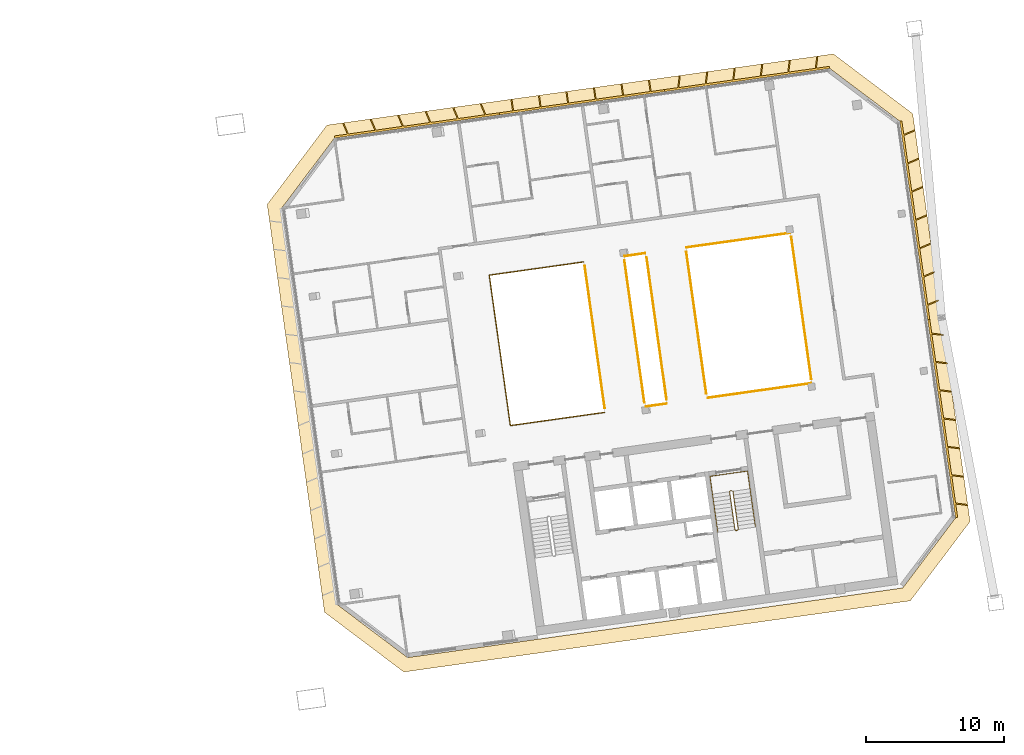
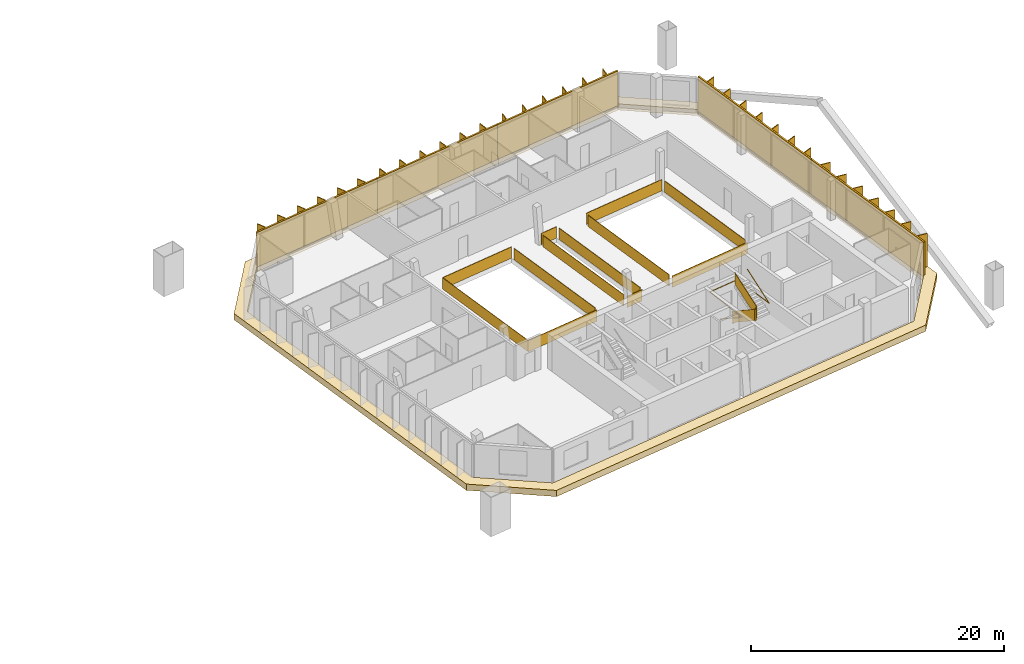
# One storey, part 19 of 19: 12 railings, 5 shading devices, 1 covering.
"""IFC4 building model written with IfcOpenShell, lengths in metres."""

from ifc_helpers import new_model, si_unit, direction, frame, origin, origin_2d, place, context, subcontext, project, spatial, polyline, rectangle, outline, extrude, material, layer, layer_set, type_object, element, save


model = new_model("IFC4")

# Units and contexts
model_context = context("Model", 3, precision=1e-05, world=origin(), true_north=direction((0.0, 1.0)))
body_context = subcontext(model_context, "Body", "Model", "MODEL_VIEW")
ifc_project = project(units=[si_unit("LENGTHUNIT", "METRE"), si_unit("AREAUNIT", "SQUARE_METRE"), si_unit("VOLUMEUNIT", "CUBIC_METRE"), si_unit("PLANEANGLEUNIT", "RADIAN"), si_unit("MASSUNIT", "GRAM", prefix="KILO")], contexts=[model_context])

# Site, building, storey
site_placement = place(None, origin())
site = spatial("IfcSite", under=ifc_project, at=site_placement, CompositionType="ELEMENT")
building_placement = place(site_placement, origin())
building = spatial("IfcBuilding", under=site, at=building_placement, Name="Mirante Cascada Hotel Towers", CompositionType="ELEMENT")
storey_placement = place(building_placement, frame((0.0, 0.0, 239.4)))
storey = spatial("IfcBuildingStorey", under=building, at=storey_placement, Name="L57", CompositionType="ELEMENT", Elevation=239.4)

# Railings
ifc_material_1 = material(Name="Toughened glass with stainless steel handrail", Category="steel")
railing_type_1 = type_object("IfcRailingType", Name="Atrium guard 1100 glass balustrade", PredefinedType="GUARDRAIL", material=ifc_material_1)
railing_1_placement = place(storey_placement, frame((40.7189, 7.1811, 0.0)))
element("IfcRailing", 1, at=railing_1_placement, inside=storey, type_object=railing_type_1, Name="GUARD 2-L57-1", PredefinedType="GUARDRAIL", context=body_context, shape_type="SweptSolid", body=[
    extrude(rectangle(XDim=0.048, YDim=0.048, at=origin_2d()), frame((0.0, 0.0, 1.076), z_axis=(-0.9902687, -0.1391684, 0.0), x_axis=(0.1391684, -0.9902687, 0.0)), (0.0, 0.0, 1.0), 6.8924),
    extrude(rectangle(XDim=0.02, YDim=1.052, at=origin_2d()), frame((0.0, 0.0, 0.526), z_axis=(-0.9902687, -0.1391684, 0.0), x_axis=(0.1391684, -0.9902687, 0.0)), (0.0, 0.0, 1.0), 6.8924),
    extrude(rectangle(XDim=0.048, YDim=0.048, at=origin_2d()), frame((-6.8253, -0.9592, 1.076), z_axis=(0.1391733, -0.990268, 0.0), x_axis=(0.990268, 0.1391733, 0.0)), (0.0, 0.0, 1.0), 11.0),
    extrude(rectangle(XDim=0.02, YDim=1.052, at=origin_2d()), frame((-6.8253, -0.9592, 0.526), z_axis=(0.1391733, -0.990268, 0.0), x_axis=(0.990268, 0.1391733, 0.0)), (0.0, 0.0, 1.0), 11.0),
    extrude(rectangle(XDim=0.048, YDim=0.048, at=origin_2d()), frame((-5.2944, -11.8521, 1.076), z_axis=(0.9902687, 0.1391684, 0.0), x_axis=(-0.1391684, 0.9902687, 0.0)), (0.0, 0.0, 1.0), 6.8924),
    extrude(rectangle(XDim=0.02, YDim=1.052, at=origin_2d()), frame((-5.2944, -11.8521, 0.526), z_axis=(0.9902687, 0.1391684, 0.0), x_axis=(-0.1391684, 0.9902687, 0.0)), (0.0, 0.0, 1.0), 6.8924),
])
railing_2_placement = place(storey_placement, frame((45.2207, -3.2943, 0.0)))
element("IfcRailing", 2, at=railing_2_placement, inside=storey, type_object=railing_type_1, Name="GUARD 2-L57-2", PredefinedType="GUARDRAIL", context=body_context, shape_type="SweptSolid", body=[
    extrude(rectangle(XDim=0.048, YDim=0.048, at=origin_2d()), frame((0.0, 0.0, 1.076), z_axis=(0.9902679, 0.1391746, 0.0), x_axis=(-0.1391746, 0.9902679, 0.0)), (0.0, 0.0, 1.0), 1.5269),
    extrude(rectangle(XDim=0.02, YDim=1.052, at=origin_2d()), frame((0.0, 0.0, 0.526), z_axis=(0.9902679, 0.1391746, 0.0), x_axis=(-0.1391746, 0.9902679, 0.0)), (0.0, 0.0, 1.0), 1.5269),
])
railing_3_placement = place(storey_placement, frame((45.2018, 7.8112, 0.0)))
element("IfcRailing", 3, at=railing_3_placement, inside=storey, type_object=railing_type_1, Name="GUARD 2-L57-3", PredefinedType="GUARDRAIL", context=body_context, shape_type="SweptSolid", body=[
    extrude(rectangle(XDim=0.048, YDim=0.048, at=origin_2d()), frame((0.0, 0.0, 1.076), z_axis=(-0.9902691, -0.1391655, 0.0), x_axis=(0.1391655, -0.9902691, 0.0)), (0.0, 0.0, 1.0), 1.527),
    extrude(rectangle(XDim=0.02, YDim=1.052, at=origin_2d()), frame((0.0, 0.0, 0.526), z_axis=(-0.9902691, -0.1391655, 0.0), x_axis=(0.1391655, -0.9902691, 0.0)), (0.0, 0.0, 1.0), 1.527),
    extrude(rectangle(XDim=0.048, YDim=0.048, at=origin_2d()), frame((-1.5121, -0.2125, 1.076), z_axis=(1.0, 0.0, 0.0), x_axis=(0.0, 1.0, 0.0)), (0.0, 0.0, 1.0), 0.0001),
    extrude(rectangle(XDim=0.02, YDim=1.052, at=origin_2d()), frame((-1.5121, -0.2125, 0.526), z_axis=(1.0, 0.0, 0.0), x_axis=(0.0, 1.0, 0.0)), (0.0, 0.0, 1.0), 0.0001),
])
railing_4_placement = place(storey_placement, frame((49.7035, -2.6643, 0.0)))
element("IfcRailing", 4, at=railing_4_placement, inside=storey, type_object=railing_type_1, Name="GUARD 2-L57-4", PredefinedType="GUARDRAIL", context=body_context, shape_type="SweptSolid", body=[
    extrude(rectangle(XDim=0.048, YDim=0.048, at=origin_2d()), frame((0.0, 0.0, 1.076), z_axis=(0.9902667, 0.1391827, 0.0), x_axis=(-0.1391827, 0.9902667, 0.0)), (0.0, 0.0, 1.0), 7.5807),
    extrude(rectangle(XDim=0.02, YDim=1.052, at=origin_2d()), frame((0.0, 0.0, 0.526), z_axis=(0.9902667, 0.1391827, 0.0), x_axis=(-0.1391827, 0.9902667, 0.0)), (0.0, 0.0, 1.0), 7.5807),
    extrude(rectangle(XDim=0.048, YDim=0.048, at=origin_2d()), frame((7.5069, 1.0551, 1.076), z_axis=(-0.9899495, -0.1414214, 0.0), x_axis=(0.1414214, -0.9899495, 0.0)), (0.0, 0.0, 1.0), 0.0269),
    extrude(rectangle(XDim=0.02, YDim=1.052, at=origin_2d()), frame((7.5069, 1.0551, 0.526), z_axis=(-0.9899495, -0.1414214, 0.0), x_axis=(0.1414214, -0.9899495, 0.0)), (0.0, 0.0, 1.0), 0.0269),
])
railing_5_placement = place(storey_placement, frame((55.6529, 9.28, 0.0)))
element("IfcRailing", 5, at=railing_5_placement, inside=storey, type_object=railing_type_1, Name="GUARD 2-L57-5", PredefinedType="GUARDRAIL", context=body_context, shape_type="SweptSolid", body=[
    extrude(rectangle(XDim=0.048, YDim=0.048, at=origin_2d()), frame((0.0, 0.0, 1.076), z_axis=(0.9904641, 0.1377713, 0.0), x_axis=(-0.1377713, 0.9904641, 0.0)), (0.0, 0.0, 1.0), 0.0269),
    extrude(rectangle(XDim=0.02, YDim=1.052, at=origin_2d()), frame((0.0, 0.0, 0.526), z_axis=(0.9904641, 0.1377713, 0.0), x_axis=(-0.1377713, 0.9904641, 0.0)), (0.0, 0.0, 1.0), 0.0269),
    extrude(rectangle(XDim=0.048, YDim=0.048, at=origin_2d()), frame((0.0266, 0.0037, 1.076), z_axis=(-0.9902685, -0.1391697, 0.0), x_axis=(0.1391697, -0.9902685, 0.0)), (0.0, 0.0, 1.0), 7.5807),
    extrude(rectangle(XDim=0.02, YDim=1.052, at=origin_2d()), frame((0.0266, 0.0037, 0.526), z_axis=(-0.9902685, -0.1391697, 0.0), x_axis=(0.1391697, -0.9902685, 0.0)), (0.0, 0.0, 1.0), 7.5807),
])
railing_6_placement = place(storey_placement, frame((42.2573, -3.4122, 0.0)))
element("IfcRailing", 6, at=railing_6_placement, inside=storey, type_object=railing_type_1, Name="GUARD 2-L57-6", PredefinedType="GUARDRAIL", context=body_context, shape_type="SweptSolid", body=[
    extrude(rectangle(XDim=0.048, YDim=0.048, at=origin_2d()), frame((0.0, 0.0, 1.076), z_axis=(-0.1391721, 0.9902682, 0.0), x_axis=(-0.9902682, -0.1391721, 0.0)), (0.0, 0.0, 1.0), 10.4087),
    extrude(rectangle(XDim=0.02, YDim=1.052, at=origin_2d()), frame((0.0, 0.0, 0.526), z_axis=(-0.1391721, 0.9902682, 0.0), x_axis=(-0.9902682, -0.1391721, 0.0)), (0.0, 0.0, 1.0), 10.4087),
])
railing_7_placement = place(storey_placement, frame((43.6823, 7.2991, 0.0)))
element("IfcRailing", 7, at=railing_7_placement, inside=storey, type_object=railing_type_1, Name="GUARD 2-L57-7", PredefinedType="GUARDRAIL", context=body_context, shape_type="SweptSolid", body=[
    extrude(rectangle(XDim=0.048, YDim=0.048, at=origin_2d()), frame((0.0, 0.0, 1.076), z_axis=(0.1391708, -0.9902684, 0.0), x_axis=(0.9902684, 0.1391708, 0.0)), (0.0, 0.0, 1.0), 10.4088),
    extrude(rectangle(XDim=0.02, YDim=1.052, at=origin_2d()), frame((0.0, 0.0, 0.526), z_axis=(0.1391708, -0.9902684, 0.0), x_axis=(0.9902684, 0.1391708, 0.0)), (0.0, 0.0, 1.0), 10.4088),
])
railing_8_placement = place(storey_placement, frame((46.7401, -2.7822, 0.0)))
element("IfcRailing", 8, at=railing_8_placement, inside=storey, type_object=railing_type_1, Name="GUARD 2-L57-8", PredefinedType="GUARDRAIL", context=body_context, shape_type="SweptSolid", body=[
    extrude(rectangle(XDim=0.048, YDim=0.048, at=origin_2d()), frame((0.0, 0.0, 1.076), z_axis=(-0.1391721, 0.9902682, 0.0), x_axis=(-0.9902682, -0.1391721, 0.0)), (0.0, 0.0, 1.0), 10.4087),
    extrude(rectangle(XDim=0.02, YDim=1.052, at=origin_2d()), frame((0.0, 0.0, 0.526), z_axis=(-0.1391721, 0.9902682, 0.0), x_axis=(-0.9902682, -0.1391721, 0.0)), (0.0, 0.0, 1.0), 10.4087),
])
railing_9_placement = place(storey_placement, frame((48.1652, 7.9291, 0.0)))
element("IfcRailing", 9, at=railing_9_placement, inside=storey, type_object=railing_type_1, Name="GUARD 2-L57-9", PredefinedType="GUARDRAIL", context=body_context, shape_type="SweptSolid", body=[
    extrude(rectangle(XDim=0.048, YDim=0.048, at=origin_2d()), frame((0.0, 0.0, 1.076), z_axis=(0.1391721, -0.9902682, 0.0), x_axis=(0.9902682, 0.1391721, 0.0)), (0.0, 0.0, 1.0), 10.4087),
    extrude(rectangle(XDim=0.02, YDim=1.052, at=origin_2d()), frame((0.0, 0.0, 0.526), z_axis=(0.1391721, -0.9902682, 0.0), x_axis=(0.9902682, 0.1391721, 0.0)), (0.0, 0.0, 1.0), 10.4087),
])
railing_10_placement = place(storey_placement, frame((57.2188, -1.3097, 0.0)))
element("IfcRailing", 10, at=railing_10_placement, inside=storey, type_object=railing_type_1, Name="GUARD 2-L57-10", PredefinedType="GUARDRAIL", context=body_context, shape_type="SweptSolid", body=[
    extrude(rectangle(XDim=0.048, YDim=0.048, at=origin_2d()), frame((0.0, 0.0, 1.076), z_axis=(-0.1391776, 0.9902674, 0.0), x_axis=(-0.9902674, -0.1391776, 0.0)), (0.0, 0.0, 1.0), 10.409),
    extrude(rectangle(XDim=0.02, YDim=1.052, at=origin_2d()), frame((0.0, 0.0, 0.526), z_axis=(-0.1391776, 0.9902674, 0.0), x_axis=(-0.9902674, -0.1391776, 0.0)), (0.0, 0.0, 1.0), 10.409),
])

# Covering
ifc_material_2 = material(Name="Precast concrete C40/50 white", Category="concrete")
ifc_layer = layer(ifc_material_2, 0.6)
ifc_layer_set = layer_set([ifc_layer], Name="Precast concrete SUNSHADE band 1000x600")
covering_type = type_object("IfcCoveringType", Name="Precast concrete SUNSHADE band 1000x600", PredefinedType="CLADDING", material=ifc_layer_set)
covering_placement = place(storey_placement, frame((0.0, 0.0, -0.45)))
element("IfcCovering", 11, at=covering_placement, inside=storey, type_object=covering_type, Name="Precast concrete SUNSHADE band T2 L57", PredefinedType="CLADDING", context=body_context, shape_type="SweptSolid", body=[
    extrude(outline(polyline([(17.8085, 11.3474), (22.137, 17.0915), (58.8202, 22.247), (64.5643, 17.9185), (68.7156, -11.6197), (64.3871, -17.3638), (27.704, -22.5192), (21.9599, -18.1908), (17.8085, 11.3474)]), holes=[polyline([(67.6677, -11.3487), (63.6316, 17.3691), (58.5492, 21.199), (22.6864, 16.1589), (18.8565, 11.0764), (22.8925, -17.6414), (27.975, -21.4713), (63.8377, -16.4311), (67.6677, -11.3487)])]), origin(), (0.0, 0.0, 1.0), 0.6),
])

# Railings
ifc_material_3 = material(Name="Painted steel", Category="steel")
railing_type_2 = type_object("IfcRailingType", Name="Stair guard 1100 steel balustrade", PredefinedType="GUARDRAIL", material=ifc_material_3)
railing_11_placement = place(storey_placement, frame((51.4864, -9.3815, 0.0)))
element("IfcRailing", 12, at=railing_11_placement, inside=storey, type_object=railing_type_2, Name="L57 ST2-B stair guard 1", PredefinedType="GUARDRAIL", context=body_context, shape_type="SweptSolid", body=[
    extrude(rectangle(XDim=0.048, YDim=0.048, at=origin_2d()), frame((0.0, 0.0, 1.076), z_axis=(-0.9902408, -0.1393672, 0.0), x_axis=(0.1393672, -0.9902408, 0.0)), (0.0, 0.0, 1.0), 0.15),
    extrude(rectangle(XDim=0.02, YDim=1.052, at=origin_2d()), frame((0.0, 0.0, 0.526), z_axis=(-0.9902408, -0.1393672, 0.0), x_axis=(0.1393672, -0.9902408, 0.0)), (0.0, 0.0, 1.0), 0.15),
    extrude(rectangle(XDim=0.048, YDim=0.048, at=origin_2d()), frame((-0.1485, -0.0209, 1.076), z_axis=(-0.6020331, -0.7984711, 0.0), x_axis=(0.7984711, -0.6020331, 0.0)), (0.0, 0.9253398, 0.3791387), 0.1866),
    extrude(rectangle(XDim=0.02, YDim=1.052, at=origin_2d()), frame((-0.1485, -0.0209, 0.526), z_axis=(-0.6020331, -0.7984711, 0.0), x_axis=(0.7984711, -0.6020331, 0.0)), (0.0, 0.9253398, 0.3791387), 0.1866),
    extrude(rectangle(XDim=0.048, YDim=0.048, at=origin_2d()), frame((-0.1911, -0.0774, 1.2487), z_axis=(0.139181, -0.990267, 0.0), x_axis=(0.990267, 0.139181, 0.0)), (0.0, 0.5250347, 0.8510808), 3.2899),
    extrude(rectangle(XDim=0.02, YDim=1.052, at=origin_2d()), frame((-0.1911, -0.0774, 0.6987), z_axis=(0.139181, -0.990267, 0.0), x_axis=(0.990267, 0.139181, 0.0)), (0.0, 0.5250347, 0.8510808), 3.2899),
    extrude(rectangle(XDim=0.048, YDim=0.048, at=origin_2d()), frame((0.1986, -2.8501, 2.976), z_axis=(0.9944441, -0.1052656, 0.0), x_axis=(0.1052656, 0.9944441, 0.0)), (0.0, 0.0, 1.0), 0.2061),
    extrude(rectangle(XDim=0.02, YDim=1.052, at=origin_2d()), frame((0.1986, -2.8501, 2.426), z_axis=(0.9944441, -0.1052656, 0.0), x_axis=(0.1052656, 0.9944441, 0.0)), (0.0, 0.0, 1.0), 0.2061),
    extrude(rectangle(XDim=0.048, YDim=0.048, at=origin_2d()), frame((0.4036, -2.8718, 2.976), z_axis=(-0.9902408, -0.1393672, 0.0), x_axis=(0.1393672, -0.9902408, 0.0)), (0.0, 0.0, 1.0), 0.15),
    extrude(rectangle(XDim=0.02, YDim=1.052, at=origin_2d()), frame((0.4036, -2.8718, 2.426), z_axis=(-0.9902408, -0.1393672, 0.0), x_axis=(0.1393672, -0.9902408, 0.0)), (0.0, 0.0, 1.0), 0.15),
    extrude(rectangle(XDim=0.048, YDim=0.048, at=origin_2d()), frame((0.2551, -2.8927, 2.976), z_axis=(0.9268624, 0.3754011, 0.0), x_axis=(-0.3754011, 0.9268624, 0.0)), (0.0, 0.6421217, 0.7666028), 0.269),
    extrude(rectangle(XDim=0.02, YDim=1.052, at=origin_2d()), frame((0.2551, -2.8927, 2.426), z_axis=(0.9268624, 0.3754011, 0.0), x_axis=(-0.3754011, 0.9268624, 0.0)), (0.0, 0.6421217, 0.7666028), 0.269),
    extrude(rectangle(XDim=0.048, YDim=0.048, at=origin_2d()), frame((0.4462, -2.8153, 3.1487), z_axis=(-0.139181, 0.990267, 0.0), x_axis=(-0.990267, -0.139181, 0.0)), (0.0, 0.5250347, 0.8510808), 3.2899),
    extrude(rectangle(XDim=0.02, YDim=1.052, at=origin_2d()), frame((0.4462, -2.8153, 2.5987), z_axis=(-0.139181, 0.990267, 0.0), x_axis=(-0.990267, -0.139181, 0.0)), (0.0, 0.5250347, 0.8510808), 3.2899),
])
ifc_material_4 = material(Name="Painted steel", Category="steel")
railing_type_3 = type_object("IfcRailingType", Name="Stair handrail 900 steel tube", PredefinedType="HANDRAIL", material=ifc_material_4)
railing_12_placement = place(storey_placement, frame((50.0575, -9.6328, 0.1727)))
element("IfcRailing", 13, at=railing_12_placement, inside=storey, type_object=railing_type_3, Name="L57 ST2-B stair handrail 1", PredefinedType="HANDRAIL", context=body_context, shape_type="SweptSolid", body=[
    extrude(rectangle(XDim=0.048, YDim=0.048, at=origin_2d()), frame((0.0, 0.0, 0.876), z_axis=(0.139176, -0.9902677, 0.0), x_axis=(0.9902677, 0.139176, 0.0)), (0.0, 0.5250212, 0.8510891), 3.29),
    extrude(rectangle(XDim=0.048, YDim=0.048, at=origin_2d()), frame((0.3897, -2.7728, 2.6033), z_axis=(-0.1391707, 0.9902684, 0.0), x_axis=(-0.9902684, -0.1391707, 0.0)), (0.0, 0.0420846, 0.999114), 4.1036),
    extrude(rectangle(XDim=0.048, YDim=0.048, at=origin_2d()), frame((-0.1809, 1.2873, 2.776), z_axis=(0.9902641, 0.1392013, 0.0), x_axis=(-0.1392013, 0.9902641, 0.0)), (0.0, 0.0, 1.0), 2.75),
    extrude(rectangle(XDim=0.048, YDim=0.048, at=origin_2d()), frame((2.5423, 1.6701, 2.776), z_axis=(0.1391707, -0.9902684, 0.0), x_axis=(0.9902684, 0.1391707, 0.0)), (0.0, 0.0, 1.0), 4.1),
    extrude(rectangle(XDim=0.048, YDim=0.048, at=origin_2d()), frame((3.1129, -2.39, 2.776), z_axis=(-0.139181, 0.990267, 0.0), x_axis=(-0.990267, -0.139181, 0.0)), (0.0, 0.5250347, 0.8510808), 3.2899),
])

# Shading devices
ifc_material_5 = material(Name="White precast concrete C50/60 fin", Category="concrete")
shading_device_type = type_object("IfcShadingDeviceType", Name="Vertical fin set 4500x900", PredefinedType="USERDEFINED", material=ifc_material_5)
shading_device_1_placement = place(storey_placement, origin())
element("IfcShadingDevice", 14, at=shading_device_1_placement, inside=storey, type_object=shading_device_type, Name="FIN T2 L57 front 1", ObjectType="FIN", PredefinedType="USERDEFINED", context=body_context, shape_type="SweptSolid", body=[
    extrude(outline(polyline([(47.7266, 20.6464), (47.6245, 19.8152), (49.5348, 20.0836), (49.6395, 20.9362), (49.7189, 20.9264), (49.6169, 20.0952), (51.5272, 20.3637), (51.6319, 21.2162), (51.7113, 21.2065), (51.6092, 20.3752), (53.5196, 20.6437), (53.6243, 21.4962), (53.7037, 21.4865), (53.6016, 20.6552), (55.512, 20.9237), (55.6167, 21.7762), (55.6961, 21.7665), (55.594, 20.9352), (57.5044, 21.2037), (57.609, 22.0562), (57.6884, 22.0465), (57.5864, 21.2152), (58.5283, 21.3476), (58.5492, 21.199), (46.5949, 19.519), (46.574, 19.6675), (47.5425, 19.8036), (47.6472, 20.6562), (47.7266, 20.6464)])), origin(), (0.0, 0.0, 1.0), 3.35),
])
shading_device_2_placement = place(storey_placement, origin())
element("IfcShadingDevice", 15, at=shading_device_2_placement, inside=storey, type_object=shading_device_type, Name="FIN T2 L57 front 2", ObjectType="FIN", PredefinedType="USERDEFINED", context=body_context, shape_type="SweptSolid", body=[
    extrude(outline(polyline([(35.5373, 18.9748), (35.6556, 18.133), (37.5687, 18.4019), (37.4504, 19.2436), (37.5296, 19.2548), (37.6479, 18.413), (39.5611, 18.6819), (39.4428, 19.5237), (39.522, 19.5348), (39.6403, 18.6931), (41.5535, 18.9619), (41.4352, 19.8037), (41.5144, 19.8148), (41.6327, 18.9731), (43.5458, 19.2419), (43.4276, 20.0837), (43.5068, 20.0948), (43.6251, 19.2531), (45.5382, 19.522), (45.4199, 20.3637), (45.4991, 20.3748), (45.6174, 19.5331), (46.574, 19.6675), (46.5949, 19.519), (34.6406, 17.8389), (34.6198, 17.9875), (35.5763, 18.1219), (35.458, 18.9636), (35.5373, 18.9748)])), origin(), (0.0, 0.0, 1.0), 3.35),
])
shading_device_3_placement = place(storey_placement, origin())
element("IfcShadingDevice", 16, at=shading_device_3_placement, inside=storey, type_object=shading_device_type, Name="FIN T2 L57 front 3", ObjectType="FIN", PredefinedType="USERDEFINED", context=body_context, shape_type="SweptSolid", body=[
    extrude(outline(polyline([(23.3538, 17.242), (23.6894, 16.4513), (25.5998, 16.7198), (25.2726, 17.4907), (25.3462, 17.522), (25.6818, 16.7313), (27.5922, 16.9998), (27.2649, 17.7707), (27.3386, 17.802), (27.6742, 17.0113), (29.5846, 17.2798), (29.2573, 18.0508), (29.3309, 18.082), (29.6666, 17.2913), (31.5769, 17.5598), (31.2497, 18.3308), (31.3233, 18.362), (31.6589, 17.5713), (33.5693, 17.8398), (33.2421, 18.6108), (33.3157, 18.642), (33.6513, 17.8514), (34.6198, 17.9875), (34.6406, 17.8389), (22.6864, 16.1589), (22.6655, 16.3074), (23.6074, 16.4398), (23.2802, 17.2107), (23.3538, 17.242)])), origin(), (0.0, 0.0, 1.0), 3.35),
])
shading_device_4_placement = place(storey_placement, origin())
element("IfcShadingDevice", 17, at=shading_device_4_placement, inside=storey, type_object=shading_device_type, Name="FIN T2 L57 outer 1", ObjectType="FIN", PredefinedType="USERDEFINED", context=body_context, shape_type="SweptSolid", body=[
    extrude(outline(polyline([(68.511, -10.4585), (67.6797, -10.3564), (67.8162, -11.3278), (67.6677, -11.3487), (65.6497, 3.0102), (65.7982, 3.0311), (65.9384, 2.0332), (66.791, 1.9285), (66.7812, 1.8491), (65.95, 1.9512), (66.2267, -0.0181), (67.0793, -0.1227), (67.0695, -0.2021), (66.2382, -0.1001), (66.515, -2.0693), (67.3676, -2.174), (67.3578, -2.2534), (66.5265, -2.1513), (66.8033, -4.1206), (67.6558, -4.2253), (67.6461, -4.3047), (66.8148, -4.2026), (67.0916, -6.1719), (67.9441, -6.2765), (67.9344, -6.3559), (67.1031, -6.2539), (67.3799, -8.2231), (68.2324, -8.3278), (68.2227, -8.4072), (67.3914, -8.3052), (67.6682, -10.2744), (68.5207, -10.3791), (68.511, -10.4585)])), origin(), (0.0, 0.0, 1.0), 3.35),
])
shading_device_5_placement = place(storey_placement, origin())
element("IfcShadingDevice", 18, at=shading_device_5_placement, inside=storey, type_object=shading_device_type, Name="FIN T2 L57 outer 2", ObjectType="FIN", PredefinedType="USERDEFINED", context=body_context, shape_type="SweptSolid", body=[
    extrude(outline(polyline([(66.4486, 4.3646), (65.6579, 4.029), (65.7982, 3.0311), (65.6497, 3.0102), (63.6316, 17.3691), (63.7802, 17.39), (63.9167, 16.4186), (64.6876, 16.7459), (64.7189, 16.6722), (63.9282, 16.3366), (64.205, 14.3674), (64.9759, 14.6946), (65.0072, 14.621), (64.2165, 14.2853), (64.4933, 12.3161), (65.2642, 12.6433), (65.2955, 12.5697), (64.5048, 12.2341), (64.7816, 10.2648), (65.5525, 10.5921), (65.5838, 10.5184), (64.7931, 10.1828), (65.0698, 8.2136), (65.8408, 8.5408), (65.872, 8.4672), (65.0814, 8.1315), (65.3581, 6.1623), (66.1291, 6.4895), (66.1603, 6.4159), (65.3697, 6.0803), (65.6464, 4.111), (66.4174, 4.4383), (66.4486, 4.3646)])), origin(), (0.0, 0.0, 1.0), 3.35),
])

save(model, "model.ifc")
